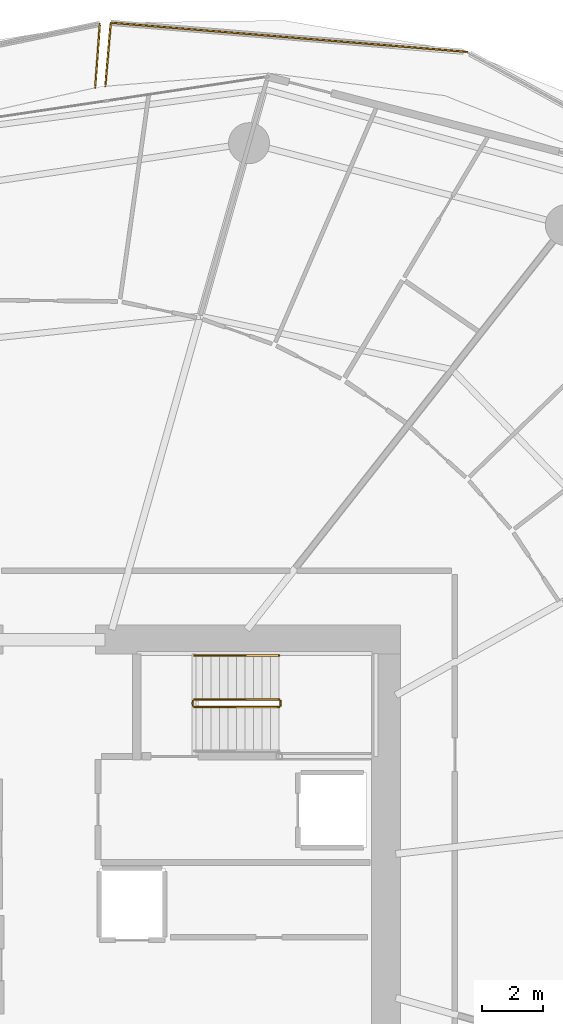
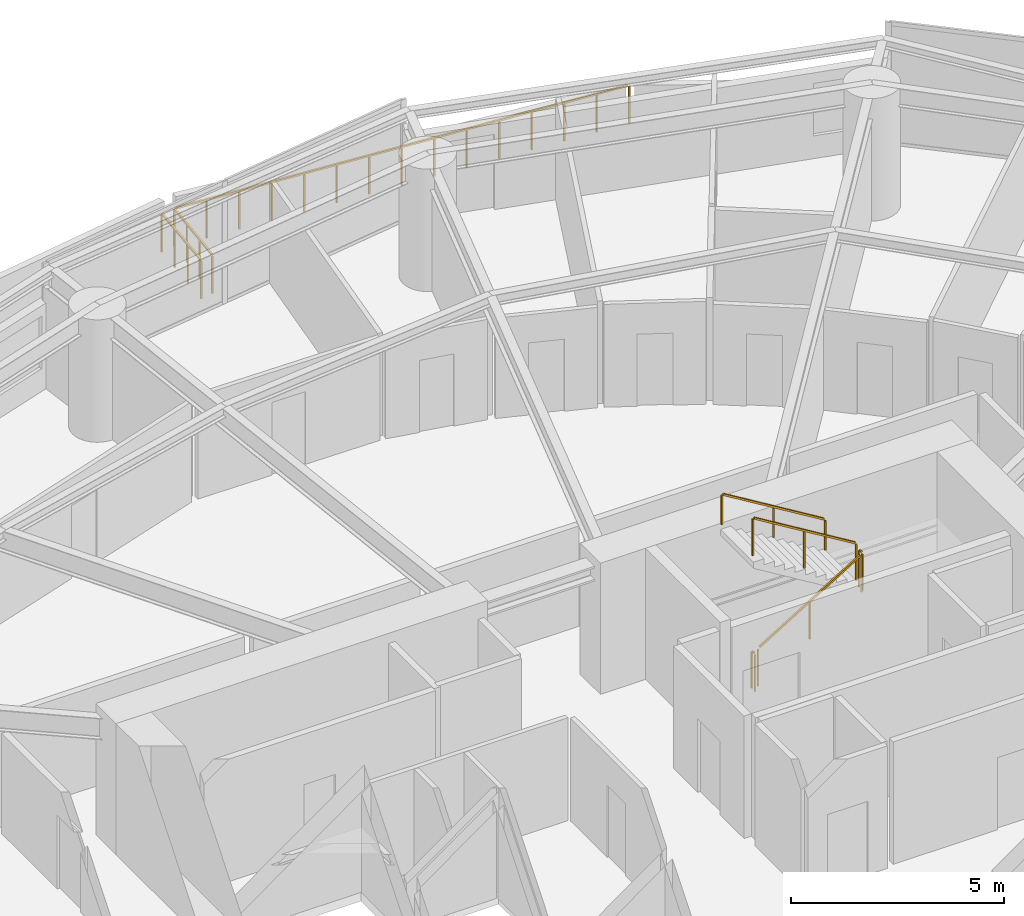
# One storey, part 29 of 30: 8 railings.
"""IFC4 building model written with IfcOpenShell, lengths in metres."""

from ifc_helpers import new_model, si_unit, direction, frame, origin, origin_2d, place, context, subcontext, project, spatial, rectangle, extrude, material, type_object, element, save


model = new_model("IFC4")

# Units and contexts
model_context = context("Model", 3, precision=1e-05, world=origin(), true_north=direction((0.0, 1.0)))
body_context = subcontext(model_context, "Body", "Model", "MODEL_VIEW")
ifc_project = project(units=[si_unit("LENGTHUNIT", "METRE"), si_unit("AREAUNIT", "SQUARE_METRE"), si_unit("VOLUMEUNIT", "CUBIC_METRE"), si_unit("PLANEANGLEUNIT", "RADIAN"), si_unit("MASSUNIT", "GRAM", prefix="KILO")], contexts=[model_context])

# Site, building, storey
site_placement = place(None, origin())
site = spatial("IfcSite", under=ifc_project, at=site_placement, CompositionType="ELEMENT")
building_placement = place(site_placement, origin())
building = spatial("IfcBuilding", under=site, at=building_placement, Name="Kazma Halo Residences", CompositionType="ELEMENT")
storey_placement = place(building_placement, frame((0.0, 0.0, 56.39990234375)))
storey = spatial("IfcBuildingStorey", under=building, at=storey_placement, Name="L13", CompositionType="ELEMENT", Elevation=56.39990234375)

# Railings
ifc_material_1 = material(Name="Aluminium AW-6063 T6 Brushed Cap Rail", Category="aluminium")
railing_type_1 = type_object("IfcRailingType", Name="RLG-BAL-CAP-1120", PredefinedType="BALUSTRADE", material=ifc_material_1)
railing_1_placement = place(storey_placement, frame((62.196044921875, 69.861328125, 0.0)))
element("IfcRailing", 1, at=railing_1_placement, inside=storey, type_object=railing_type_1, Name="L13 NE wave balcony guard 3", PredefinedType="BALUSTRADE", context=body_context, shape_type="SweptSolid", body=[
    extrude(rectangle(XDim=0.050048828125, YDim=0.050048828125, at=origin_2d()), frame((-0.04248046875, 0.00341796875, 1.09521484375), z_axis=(-0.996665946261, 0.081590388919, 0.0), x_axis=(-0.081590388919, -0.996665946261, 0.0)), (0.0, 0.0, 1.0), 11.70458984375),
    extrude(rectangle(XDim=0.0400390625, YDim=0.0400390625, at=origin_2d()), origin(), (0.0, 0.0, 1.0), 1.05810546875),
    extrude(rectangle(XDim=0.0400390625, YDim=0.0400390625, at=origin_2d()), frame((-0.83935546875, 0.068603515625, 0.0)), (0.0, 0.0, 1.0), 1.05810546875),
    extrude(rectangle(XDim=0.0400390625, YDim=0.0400390625, at=origin_2d()), frame((-1.6787109375, 0.137451171875, 0.0)), (0.0, 0.0, 1.0), 1.05810546875),
    extrude(rectangle(XDim=0.0400390625, YDim=0.0400390625, at=origin_2d()), frame((-2.517822265625, 0.2060546875, 0.0)), (0.0, 0.0, 1.0), 1.05810546875),
    extrude(rectangle(XDim=0.0400390625, YDim=0.0400390625, at=origin_2d()), frame((-3.357177734375, 0.27490234375, 0.0)), (0.0, 0.0, 1.0), 1.05810546875),
    extrude(rectangle(XDim=0.0400390625, YDim=0.0400390625, at=origin_2d()), frame((-4.196533203125, 0.343505859375, 0.0)), (0.0, 0.0, 1.0), 1.05810546875),
    extrude(rectangle(XDim=0.0400390625, YDim=0.0400390625, at=origin_2d()), frame((-5.035888671875, 0.412353515625, 0.0)), (0.0, 0.0, 1.0), 1.05810546875),
    extrude(rectangle(XDim=0.0400390625, YDim=0.0400390625, at=origin_2d()), frame((-5.875, 0.48095703125, 0.0)), (0.0, 0.0, 1.0), 1.05810546875),
    extrude(rectangle(XDim=0.0400390625, YDim=0.0400390625, at=origin_2d()), frame((-6.71435546875, 0.549560546875, 0.0)), (0.0, 0.0, 1.0), 1.05810546875),
    extrude(rectangle(XDim=0.0400390625, YDim=0.0400390625, at=origin_2d()), frame((-7.5537109375, 0.618408203125, 0.0)), (0.0, 0.0, 1.0), 1.05810546875),
    extrude(rectangle(XDim=0.0400390625, YDim=0.0400390625, at=origin_2d()), frame((-8.39306640625, 0.68701171875, 0.0)), (0.0, 0.0, 1.0), 1.05810546875),
    extrude(rectangle(XDim=0.0400390625, YDim=0.0400390625, at=origin_2d()), frame((-9.232421875, 0.755859375, 0.0)), (0.0, 0.0, 1.0), 1.05810546875),
    extrude(rectangle(XDim=0.0400390625, YDim=0.0400390625, at=origin_2d()), frame((-10.071533203125, 0.824462890625, 0.0)), (0.0, 0.0, 1.0), 1.05810546875),
    extrude(rectangle(XDim=0.0400390625, YDim=0.0400390625, at=origin_2d()), frame((-10.910888671875, 0.893310546875, 0.0)), (0.0, 0.0, 1.0), 1.05810546875),
    extrude(rectangle(XDim=0.0400390625, YDim=0.0400390625, at=origin_2d()), frame((-11.750244140625, 0.9619140625, 0.0)), (0.0, 0.0, 1.0), 1.05810546875),
])
railing_2_placement = place(storey_placement, frame((50.44580078125, 70.8232421875, 0.0)))
element("IfcRailing", 2, at=railing_2_placement, inside=storey, type_object=railing_type_1, Name="L13 NE wave balcony guard 4", PredefinedType="BALUSTRADE", context=body_context, shape_type="SweptSolid", body=[
    extrude(rectangle(XDim=0.050048828125, YDim=0.050048828125, at=origin_2d()), frame((-0.003662109375, -0.04248046875, 1.09521484375), z_axis=(-0.084593645284, -0.996415533388, 0.0), x_axis=(0.996415533388, -0.084593645284, 0.0)), (0.0, 0.0, 1.0), 2.015869140625),
    extrude(rectangle(XDim=0.0400390625, YDim=0.0400390625, at=origin_2d()), origin(), (0.0, 0.0, 1.0), 1.05810546875),
    extrude(rectangle(XDim=0.0400390625, YDim=0.0400390625, at=origin_2d()), frame((-0.059326171875, -0.69775390625, 0.0)), (0.0, 0.0, 1.0), 1.05810546875),
    extrude(rectangle(XDim=0.0400390625, YDim=0.0400390625, at=origin_2d()), frame((-0.118408203125, -1.395751953125, 0.0)), (0.0, 0.0, 1.0), 1.05810546875),
    extrude(rectangle(XDim=0.0400390625, YDim=0.0400390625, at=origin_2d()), frame((-0.177734375, -2.093505859375, 0.0)), (0.0, 0.0, 1.0), 1.05810546875),
])
railing_3_placement = place(storey_placement, frame((49.935791015625, 68.679931640625, 0.0)))
element("IfcRailing", 3, at=railing_3_placement, inside=storey, type_object=railing_type_1, Name="L13 NNW wave balcony guard 1", PredefinedType="BALUSTRADE", context=body_context, shape_type="SweptSolid", body=[
    extrude(rectangle(XDim=0.050048828125, YDim=0.050048828125, at=origin_2d()), frame((0.003173828125, 0.04248046875, 1.09521484375), z_axis=(0.07237077641, 0.997377797388, 0.0), x_axis=(-0.997377797388, 0.07237077641, 0.0)), (0.0, 0.0, 1.0), 2.030029296875),
    extrude(rectangle(XDim=0.0400390625, YDim=0.0400390625, at=origin_2d()), origin(), (0.0, 0.0, 1.0), 1.05810546875),
    extrude(rectangle(XDim=0.0400390625, YDim=0.0400390625, at=origin_2d()), frame((0.051025390625, 0.703125, 0.0)), (0.0, 0.0, 1.0), 1.05810546875),
    extrude(rectangle(XDim=0.0400390625, YDim=0.0400390625, at=origin_2d()), frame((0.10205078125, 1.406494140625, 0.0)), (0.0, 0.0, 1.0), 1.05810546875),
    extrude(rectangle(XDim=0.0400390625, YDim=0.0400390625, at=origin_2d()), frame((0.153076171875, 2.109619140625, 0.0)), (0.0, 0.0, 1.0), 1.05810546875),
])
ifc_material_2 = material(Name="Painted Steel S355", Category="steel")
railing_type_2 = type_object("IfcRailingType", Name="RLG-STAIR-GRD-1100", PredefinedType="GUARDRAIL", material=ifc_material_2)
railing_4_placement = place(storey_placement, frame((53.199951171875, 48.25, 0.170654296875)))
element("IfcRailing", 4, at=railing_4_placement, inside=storey, type_object=railing_type_2, Name="L13 ST-02 stair guard 1", PredefinedType="GUARDRAIL", context=body_context, shape_type="SweptSolid", body=[
    extrude(rectangle(XDim=0.050048828125, YDim=0.050048828125, at=origin_2d()), frame((0.036376953125, 0.0, 1.09716796875), z_axis=(0.854202870247, 0.0, 0.519939858505), x_axis=(0.0, 1.0, 0.0)), (0.0, 0.0, 1.0), 3.19287109375),
    extrude(rectangle(XDim=0.0400390625, YDim=0.0400390625, at=origin_2d()), origin(), (0.0, 0.0, 1.0), 1.0380859375),
    extrude(rectangle(XDim=0.0400390625, YDim=0.0400390625, at=origin_2d()), frame((1.39990234375, 0.0, 0.85205078125)), (0.0, 0.0, 1.0), 1.0380859375),
    extrude(rectangle(XDim=0.0400390625, YDim=0.0400390625, at=origin_2d()), frame((2.800048828125, 0.0, 1.704345703125)), (0.0, 0.0, 1.0), 1.0380859375),
])
railing_5_placement = place(storey_placement, frame((56.050048828125, 48.300048828125, 1.875)))
element("IfcRailing", 5, at=railing_5_placement, inside=storey, type_object=railing_type_2, Name="L13 ST-02 stair guard 2", PredefinedType="GUARDRAIL", context=body_context, shape_type="SweptSolid", body=[
    extrude(rectangle(XDim=0.050048828125, YDim=0.050048828125, at=origin_2d()), frame((0.0, 0.04248046875, 1.0751953125), z_axis=(0.0, 1.0, 0.0), x_axis=(-1.0, 0.0, 0.0)), (0.0, 0.0, 1.0), 0.06494140625),
    extrude(rectangle(XDim=0.0400390625, YDim=0.0400390625, at=origin_2d()), origin(), (0.0, 0.0, 1.0), 1.0380859375),
    extrude(rectangle(XDim=0.0400390625, YDim=0.0400390625, at=origin_2d()), frame((0.0, 0.14990234375, 0.0)), (0.0, 0.0, 1.0), 1.0380859375),
])
railing_6_placement = place(storey_placement, frame((56.0, 48.5, 2.045654296875)))
element("IfcRailing", 6, at=railing_6_placement, inside=storey, type_object=railing_type_2, Name="L13 ST-02 stair guard 3", PredefinedType="GUARDRAIL", context=body_context, shape_type="SweptSolid", body=[
    extrude(rectangle(XDim=0.050048828125, YDim=0.050048828125, at=origin_2d()), frame((-0.036376953125, 0.0, 1.09716796875), z_axis=(-0.854202870247, 0.0, 0.519939858505), x_axis=(0.0, -1.0, 0.0)), (0.0, 0.0, 1.0), 3.19287109375),
    extrude(rectangle(XDim=0.0400390625, YDim=0.0400390625, at=origin_2d()), origin(), (0.0, 0.0, 1.0), 1.0380859375),
    extrude(rectangle(XDim=0.0400390625, YDim=0.0400390625, at=origin_2d()), frame((-1.39990234375, 0.0, 0.85205078125)), (0.0, 0.0, 1.0), 1.0380859375),
    extrude(rectangle(XDim=0.0400390625, YDim=0.0400390625, at=origin_2d()), frame((-2.800048828125, 0.0, 1.704345703125)), (0.0, 0.0, 1.0), 1.0380859375),
])
railing_7_placement = place(storey_placement, frame((53.14990234375, 48.300048828125, 0.0)))
element("IfcRailing", 7, at=railing_7_placement, inside=storey, type_object=railing_type_2, Name="L13 ST-02 stair guard 4", PredefinedType="GUARDRAIL", context=body_context, shape_type="SweptSolid", body=[
    extrude(rectangle(XDim=0.050048828125, YDim=0.050048828125, at=origin_2d()), frame((0.0, 0.04248046875, 1.0751953125), z_axis=(0.0, 1.0, 0.0), x_axis=(-1.0, 0.0, 0.0)), (0.0, 0.0, 1.0), 0.06494140625),
    extrude(rectangle(XDim=0.0400390625, YDim=0.0400390625, at=origin_2d()), origin(), (0.0, 0.0, 1.0), 1.0380859375),
    extrude(rectangle(XDim=0.0400390625, YDim=0.0400390625, at=origin_2d()), frame((0.0, 0.14990234375, 0.0)), (0.0, 0.0, 1.0), 1.0380859375),
])
ifc_material_3 = material(Name="Brushed Stainless Steel", Category="steel")
railing_type_3 = type_object("IfcRailingType", Name="RLG-STAIR-HND-900", PredefinedType="HANDRAIL", material=ifc_material_3)
railing_8_placement = place(storey_placement, frame((56.0, 49.949951171875, 2.045654296875)))
element("IfcRailing", 8, at=railing_8_placement, inside=storey, type_object=railing_type_3, Name="L13 ST-02 stair handrail 2", PredefinedType="HANDRAIL", context=body_context, shape_type="SweptSolid", body=[
    extrude(rectangle(XDim=0.050048828125, YDim=0.050048828125, at=origin_2d()), frame((-0.036376953125, 0.0, 0.89697265625), z_axis=(-0.854202870247, 0.0, 0.519939858505), x_axis=(0.0, -1.0, 0.0)), (0.0, 0.0, 1.0), 3.19287109375),
    extrude(rectangle(XDim=0.0400390625, YDim=0.0400390625, at=origin_2d()), origin(), (0.0, 0.0, 1.0), 0.837890625),
    extrude(rectangle(XDim=0.0400390625, YDim=0.0400390625, at=origin_2d()), frame((-1.39990234375, 0.0, 0.85205078125)), (0.0, 0.0, 1.0), 0.837890625),
    extrude(rectangle(XDim=0.0400390625, YDim=0.0400390625, at=origin_2d()), frame((-2.800048828125, 0.0, 1.704345703125)), (0.0, 0.0, 1.0), 0.837890625),
])

save(model, "model.ifc")
